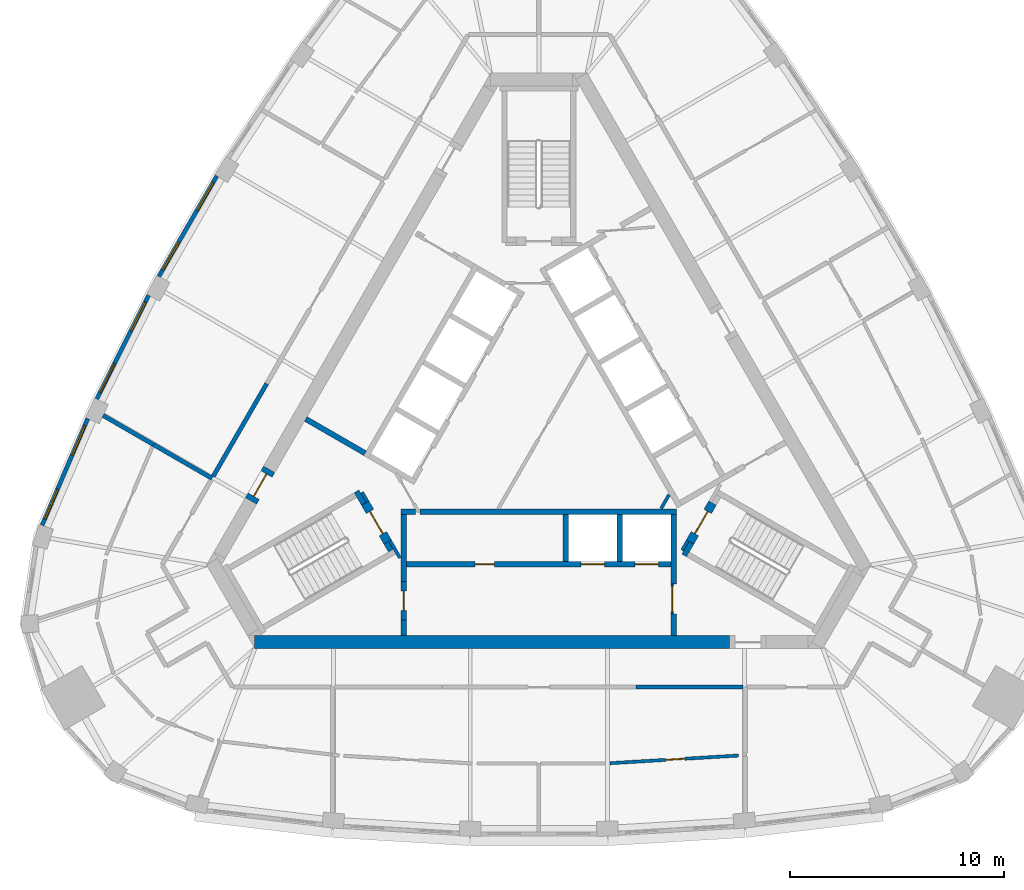
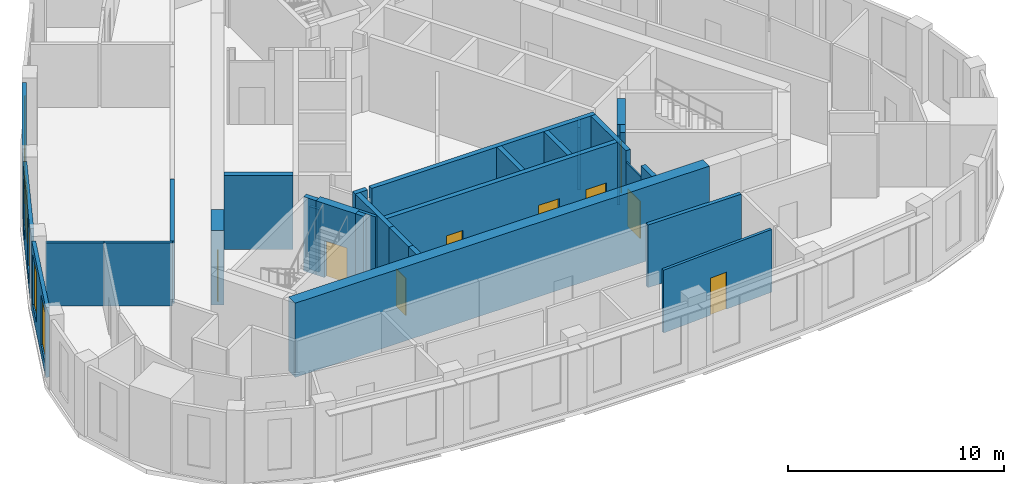
# One storey, part 4 of 10: 31 walls, 9 doors, 6 windows, 15 openings.
"""IFC4 building model written with IfcOpenShell, lengths in metres."""

from ifc_helpers import new_model, si_unit, direction, frame, frame_2d, origin, place, context, subcontext, project, spatial, rectangle, extrude, material, layer, layer_set, type_object, element, fill, save


model = new_model("IFC4")

# Units and contexts
model_context = context("Model", 3, precision=1e-05, world=origin(), true_north=direction((0.0, 1.0)))
body_context = subcontext(model_context, "Body", "Model", "MODEL_VIEW")
ifc_project = project(units=[si_unit("LENGTHUNIT", "METRE"), si_unit("AREAUNIT", "SQUARE_METRE"), si_unit("VOLUMEUNIT", "CUBIC_METRE"), si_unit("PLANEANGLEUNIT", "RADIAN"), si_unit("MASSUNIT", "GRAM", prefix="KILO")], contexts=[model_context])

# Site, building, storey
site_placement = place(None, origin())
site = spatial("IfcSite", under=ifc_project, at=site_placement, CompositionType="ELEMENT")
building_placement = place(site_placement, origin())
building = spatial("IfcBuilding", under=site, at=building_placement, Name="Mestral Congress Tower", CompositionType="ELEMENT")
storey_placement = place(building_placement, frame((0.0, 0.0, 313.199951171875)))
storey = spatial("IfcBuildingStorey", under=building, at=storey_placement, Name="L73", CompositionType="ELEMENT", Elevation=313.199951171875)

# Walls
ifc_material_1 = material(Name="Fire-rated board partition")
ifc_layer_1 = layer(ifc_material_1, 0.14990234375)
ifc_layer_set_1 = layer_set([ifc_layer_1], Name="Fire-rated board partition")
wall_type_1 = type_object("IfcWallType", Name="Core partition 150", PredefinedType="PARTITIONING", material=ifc_layer_set_1)
for number, where, z_axis, x_axis, name in (
    (1, (-8.251953125, -2.958251953125, 0.0), (0.0, 0.0, 1.0), (0.500174715838, -0.865924508047, 0.0), "L73 core wall"),
    (2, (6.94482421875, -5.22216796875, 0.0), (0.0, 0.0, 1.0), (-0.499818422106, -0.866130212453, 0.0), "L73 core wall"),
):
    element("IfcWall", number, at=place(storey_placement, frame(where, z_axis=z_axis, x_axis=x_axis)), inside=storey, type_object=wall_type_1, Name=name, PredefinedType="PARTITIONING", context=body_context, shape_type="SweptSolid", body=[
        extrude(rectangle(XDim=0.513916015625, YDim=0.14990234375, at=frame_2d((0.2568359375, 0.0))), origin(), (0.0, 0.0, 1.0), 3.550048828125),
    ])
wall_1_placement = place(storey_placement, frame((5.704833984375, -3.718017578125, 0.0), z_axis=(0.0, 0.0, 1.0), x_axis=(0.499962090823, 0.866047289552, 0.0)))
element("IfcWall", 3, at=wall_1_placement, inside=storey, type_object=wall_type_1, Name="L73 core wall", PredefinedType="PARTITIONING", context=body_context, shape_type="SweptSolid", body=[
    extrude(rectangle(XDim=0.73486328125, YDim=0.14990234375, at=frame_2d((0.367431640625, 0.0))), origin(), (0.0, 0.0, 1.0), 3.550048828125),
])

# Wall, opening, door
ifc_layer_2 = layer(ifc_material_1, 0.090087890625)
ifc_layer_set_2 = layer_set([ifc_layer_2], Name="Fire-rated board partition")
wall_type_2 = type_object("IfcWallType", Name="Core partition 150 door-wall 90", PredefinedType="PARTITIONING", material=ifc_layer_set_2)
wall_2_placement = place(storey_placement, frame((6.219970703125, -7.23681640625, 0.0), z_axis=(0.0, 0.0, 1.0), x_axis=(0.0, -1.0, 0.0)))
wall_2 = element("IfcWall", 4, at=wall_2_placement, inside=storey, type_object=wall_type_2, Name="L73 door wall", PredefinedType="PARTITIONING", context=body_context, shape_type="SweptSolid", body=[
    extrude(rectangle(XDim=1.400146484375, YDim=0.090087890625, at=frame_2d((0.7001953125, 0.0))), origin(), (0.0, 0.0, 1.0), 3.550048828125),
])
opening_1_placement = place(wall_2_placement, frame((0.10009765625, 0.0, 0.0)))
opening_1 = element("IfcOpeningElement", 5, at=opening_1_placement, cuts=wall_2, Name="Opening LB0-WL1", PredefinedType="OPENING", context=body_context, shape_type="SweptSolid", body=[
    extrude(rectangle(XDim=1.199951171875, YDim=2.10009765625, at=frame_2d((0.60009765625, 1.050048828125))), frame((0.0, 0.054931640625, 0.0), z_axis=(0.0, -1.0, 0.0), x_axis=(1.0, 0.0, 0.0)), (0.0, 0.0, 1.0), 0.110107421875),
])
ifc_material_2 = material(Name="Fire-rated steel door set", Category="steel")
door_type_1 = type_object("IfcDoorType", Name="Core door LB 1200x2100", OperationType="SINGLE_SWING_LEFT", PredefinedType="DOOR", material=ifc_material_2)
door_1_placement = place(opening_1_placement, origin())
door_1 = element("IfcDoor", 6, at=door_1_placement, inside=storey, type_object=door_type_1, Name="Door LB0-WL1", OperationType="SINGLE_SWING_LEFT", OverallHeight=2.10009765625, OverallWidth=1.199951171875, PredefinedType="DOOR", context=body_context, shape_type="SweptSolid", body=[
    extrude(rectangle(XDim=1.199951171875, YDim=2.10009765625, at=frame_2d((0.60009765625, 1.050048828125))), frame((0.0, 0.02490234375, 0.0), z_axis=(0.0, -1.0, 0.0), x_axis=(1.0, 0.0, 0.0)), (0.0, 0.0, 1.0), 0.050048828125),
])
fill(opening_1, door_1)

# Wall
ifc_material_3 = material(Name="Concrete C60/75", Category="concrete")
ifc_layer_3 = layer(ifc_material_3, 0.60009765625)
ifc_layer_set_3 = layer_set([ifc_layer_3], Name="Concrete C60/75")
wall_type_3 = type_object("IfcWallType", Name="Core wall RC 600", PredefinedType="SOLIDWALL", material=ifc_layer_set_3)
wall_3_placement = place(storey_placement, frame((8.904296875, -9.949951171875, 0.0), z_axis=(0.0, 0.0, 1.0), x_axis=(-1.0, 0.0, 0.0)))
element("IfcWall", 7, at=wall_3_placement, inside=storey, type_object=wall_type_3, Name="L73 core wall", PredefinedType="SOLIDWALL", context=body_context, shape_type="SweptSolid", body=[
    extrude(rectangle(XDim=22.160888671875, YDim=0.60009765625, at=frame_2d((11.08056640625, 0.0))), origin(), (0.0, 0.0, 1.0), 4.199951171875),
])

# Wall, opening, door
wall_4_placement = place(storey_placement, frame((-13.431640625, -3.3642578125, 0.0), z_axis=(0.0, 0.0, 1.0), x_axis=(0.500062241894, 0.865989465428, 0.0)))
wall_4 = element("IfcWall", 8, at=wall_4_placement, inside=storey, type_object=wall_type_3, Name="L73 door wall", PredefinedType="SOLIDWALL", context=body_context, shape_type="SweptSolid", body=[
    extrude(rectangle(XDim=1.699951171875, YDim=0.60009765625, at=frame_2d((0.85009765625, 0.0))), origin(), (0.0, 0.0, 1.0), 4.199951171875),
])
opening_2_placement = place(wall_4_placement, frame((0.25, 0.0, 0.0)))
opening_2 = element("IfcOpeningElement", 9, at=opening_2_placement, cuts=wall_4, Name="Opening XD3", PredefinedType="OPENING", context=body_context, shape_type="SweptSolid", body=[
    extrude(rectangle(XDim=1.199951171875, YDim=2.10009765625, at=frame_2d((0.60009765625, 1.050048828125))), frame((0.0, 0.31005859375, 0.0), z_axis=(0.0, -1.0, 0.0), x_axis=(1.0, 0.0, 0.0)), (0.0, 0.0, 1.0), 0.6201171875),
])
door_type_2 = type_object("IfcDoorType", Name="Core door XD 1200x2100", OperationType="SINGLE_SWING_LEFT", PredefinedType="DOOR", material=ifc_material_2)
door_2_placement = place(opening_2_placement, origin())
door_2 = element("IfcDoor", 10, at=door_2_placement, inside=storey, type_object=door_type_2, Name="Door XD3", OperationType="SINGLE_SWING_LEFT", OverallHeight=2.10009765625, OverallWidth=1.199951171875, PredefinedType="DOOR", context=body_context, shape_type="SweptSolid", body=[
    extrude(rectangle(XDim=1.199951171875, YDim=2.10009765625, at=frame_2d((0.60009765625, 1.050048828125))), frame((0.0, 0.02490234375, 0.0), z_axis=(0.0, -1.0, 0.0), x_axis=(1.0, 0.0, 0.0)), (0.0, 0.0, 1.0), 0.050048828125),
])
fill(opening_2, door_2)

# Wall, openings, windows
ifc_material_4 = material(Name="Precast concrete C40/50 with limestone facing", Category="masonry")
ifc_layer_4 = layer(ifc_material_4, 0.18994140625)
ifc_layer_set_4 = layer_set([ifc_layer_4], Name="Precast concrete C40/50 with limestone facing")
wall_type_4 = type_object("IfcWallType", Name="Facade stone wall 190", PredefinedType="SOLIDWALL", material=ifc_layer_set_4)
wall_5_placement = place(storey_placement, frame((-15.025146484375, 11.7958984375, 0.0), z_axis=(0.0, 0.0, 1.0), x_axis=(-0.500024767483, -0.866011103799, 0.0)))
wall_5 = element("IfcWall", 11, at=wall_5_placement, inside=storey, type_object=wall_type_4, Name="Facade wall F2-02", PredefinedType="SOLIDWALL", context=body_context, shape_type="SweptSolid", body=[
    extrude(rectangle(XDim=5.406005859375, YDim=0.18994140625, at=frame_2d((2.703125, 0.0))), origin(), (0.0, 0.0, 1.0), 3.949951171875),
])
opening_3_placement = place(wall_5_placement, frame((0.346435546875, 0.0, 0.60009765625)))
opening_3 = element("IfcOpeningElement", 12, at=opening_3_placement, cuts=wall_5, Name="Opening W6", PredefinedType="OPENING", context=body_context, shape_type="SweptSolid", body=[
    extrude(rectangle(XDim=1.5, YDim=2.85009765625, at=frame_2d((0.75, 1.425048828125))), frame((0.0, 0.10498046875, 0.0), z_axis=(0.0, -1.0, 0.0), x_axis=(1.0, 0.0, 0.0)), (0.0, 0.0, 1.0), 0.2099609375),
])
opening_4_placement = place(wall_5_placement, frame((3.559326171875, 0.0, 0.60009765625)))
opening_4 = element("IfcOpeningElement", 13, at=opening_4_placement, cuts=wall_5, Name="Opening W6", PredefinedType="OPENING", context=body_context, shape_type="SweptSolid", body=[
    extrude(rectangle(XDim=1.5, YDim=2.85009765625, at=frame_2d((0.75, 1.425048828125))), frame((0.0, 0.10498046875, 0.0), z_axis=(0.0, -1.0, 0.0), x_axis=(1.0, 0.0, 0.0)), (0.0, 0.0, 1.0), 0.2099609375),
])
ifc_material_5 = material(Name="Clear low-emissivity double glazing", Category="glass")
window_type = type_object("IfcWindowType", Name="Facade punched window 1500 x 2850 sill 600", PartitioningType="SINGLE_PANEL", PredefinedType="WINDOW", material=ifc_material_5)
window_1_placement = place(opening_3_placement, origin())
window_1 = element("IfcWindow", 14, at=window_1_placement, inside=storey, type_object=window_type, Name="Window F2-02a", OverallHeight=2.85009765625, OverallWidth=1.5, PartitioningType="SINGLE_PANEL", PredefinedType="WINDOW", context=body_context, shape_type="SweptSolid", body=[
    extrude(rectangle(XDim=1.5, YDim=2.85009765625, at=frame_2d((0.75, 1.425048828125))), frame((0.0, 0.044921875, 0.0), z_axis=(0.0, -1.0, 0.0), x_axis=(1.0, 0.0, 0.0)), (0.0, 0.0, 1.0), 0.06005859375),
])
fill(opening_3, window_1)
window_2_placement = place(opening_4_placement, origin())
window_2 = element("IfcWindow", 15, at=window_2_placement, inside=storey, type_object=window_type, Name="Window F2-02b", OverallHeight=2.85009765625, OverallWidth=1.5, PartitioningType="SINGLE_PANEL", PredefinedType="WINDOW", context=body_context, shape_type="SweptSolid", body=[
    extrude(rectangle(XDim=1.5, YDim=2.85009765625, at=frame_2d((0.75, 1.425048828125))), frame((0.0, 0.044921875, 0.0), z_axis=(0.0, -1.0, 0.0), x_axis=(1.0, 0.0, 0.0)), (0.0, 0.0, 1.0), 0.06005859375),
])
fill(opening_4, window_2)

wall_6_placement = place(storey_placement, frame((-18.205810546875, 6.226806640625, 0.0), z_axis=(0.0, 0.0, 1.0), x_axis=(-0.447484531401, -0.894291671747, 0.0)))
wall_6 = element("IfcWall", 16, at=wall_6_placement, inside=storey, type_object=wall_type_4, Name="Facade wall F2-03", PredefinedType="SOLIDWALL", context=body_context, shape_type="SweptSolid", body=[
    extrude(rectangle(XDim=5.40625, YDim=0.18994140625, at=frame_2d((2.703125, 0.0))), origin(), (0.0, 0.0, 1.0), 3.949951171875),
])
opening_5_placement = place(wall_6_placement, frame((0.346435546875, 0.0, 0.60009765625)))
opening_5 = element("IfcOpeningElement", 17, at=opening_5_placement, cuts=wall_6, Name="Opening W6", PredefinedType="OPENING", context=body_context, shape_type="SweptSolid", body=[
    extrude(rectangle(XDim=1.5, YDim=2.85009765625, at=frame_2d((0.75, 1.425048828125))), frame((0.0, 0.10498046875, 0.0), z_axis=(0.0, -1.0, 0.0), x_axis=(1.0, 0.0, 0.0)), (0.0, 0.0, 1.0), 0.2099609375),
])
opening_6_placement = place(wall_6_placement, frame((3.559326171875, 0.0, 0.60009765625)))
opening_6 = element("IfcOpeningElement", 18, at=opening_6_placement, cuts=wall_6, Name="Opening W6", PredefinedType="OPENING", context=body_context, shape_type="SweptSolid", body=[
    extrude(rectangle(XDim=1.5, YDim=2.85009765625, at=frame_2d((0.75, 1.425048828125))), frame((0.0, 0.10498046875, 0.0), z_axis=(0.0, -1.0, 0.0), x_axis=(1.0, 0.0, 0.0)), (0.0, 0.0, 1.0), 0.2099609375),
])
window_3_placement = place(opening_5_placement, origin())
window_3 = element("IfcWindow", 19, at=window_3_placement, inside=storey, type_object=window_type, Name="Window F2-03a", OverallHeight=2.85009765625, OverallWidth=1.5, PartitioningType="SINGLE_PANEL", PredefinedType="WINDOW", context=body_context, shape_type="SweptSolid", body=[
    extrude(rectangle(XDim=1.5, YDim=2.85009765625, at=frame_2d((0.75, 1.425048828125))), frame((0.0, 0.044921875, 0.0), z_axis=(0.0, -1.0, 0.0), x_axis=(1.0, 0.0, 0.0)), (0.0, 0.0, 1.0), 0.06005859375),
])
fill(opening_5, window_3)
window_4_placement = place(opening_6_placement, origin())
window_4 = element("IfcWindow", 20, at=window_4_placement, inside=storey, type_object=window_type, Name="Window F2-03b", OverallHeight=2.85009765625, OverallWidth=1.5, PartitioningType="SINGLE_PANEL", PredefinedType="WINDOW", context=body_context, shape_type="SweptSolid", body=[
    extrude(rectangle(XDim=1.5, YDim=2.85009765625, at=frame_2d((0.75, 1.425048828125))), frame((0.0, 0.044921875, 0.0), z_axis=(0.0, -1.0, 0.0), x_axis=(1.0, 0.0, 0.0)), (0.0, 0.0, 1.0), 0.06005859375),
])
fill(opening_6, window_4)

wall_7_placement = place(storey_placement, frame((-21.048828125, 0.477783203125, 0.0), z_axis=(0.0, 0.0, 1.0), x_axis=(-0.393347848476, -0.919389726992, 0.0)))
wall_7 = element("IfcWall", 21, at=wall_7_placement, inside=storey, type_object=wall_type_4, Name="Facade wall F2-04", PredefinedType="SOLIDWALL", context=body_context, shape_type="SweptSolid", body=[
    extrude(rectangle(XDim=5.414794921875, YDim=0.18994140625, at=frame_2d((2.70751953125, 0.0))), origin(), (0.0, 0.0, 1.0), 3.949951171875),
])
opening_7_placement = place(wall_7_placement, frame((0.357421875, 0.0, 0.60009765625)))
opening_7 = element("IfcOpeningElement", 22, at=opening_7_placement, cuts=wall_7, Name="Opening W6", PredefinedType="OPENING", context=body_context, shape_type="SweptSolid", body=[
    extrude(rectangle(XDim=1.5, YDim=2.85009765625, at=frame_2d((0.75, 1.425048828125))), frame((0.0, 0.10498046875, 0.0), z_axis=(0.0, -1.0, 0.0), x_axis=(1.0, 0.0, 0.0)), (0.0, 0.0, 1.0), 0.2099609375),
])
opening_8_placement = place(wall_7_placement, frame((3.592529296875, 0.0, 0.60009765625)))
opening_8 = element("IfcOpeningElement", 23, at=opening_8_placement, cuts=wall_7, Name="Opening W6", PredefinedType="OPENING", context=body_context, shape_type="SweptSolid", body=[
    extrude(rectangle(XDim=1.5, YDim=2.85009765625, at=frame_2d((0.75, 1.425048828125))), frame((0.0, 0.10498046875, 0.0), z_axis=(0.0, -1.0, 0.0), x_axis=(1.0, 0.0, 0.0)), (0.0, 0.0, 1.0), 0.2099609375),
])
window_5_placement = place(opening_7_placement, origin())
window_5 = element("IfcWindow", 24, at=window_5_placement, inside=storey, type_object=window_type, Name="Window F2-04a", OverallHeight=2.85009765625, OverallWidth=1.5, PartitioningType="SINGLE_PANEL", PredefinedType="WINDOW", context=body_context, shape_type="SweptSolid", body=[
    extrude(rectangle(XDim=1.5, YDim=2.85009765625, at=frame_2d((0.75, 1.425048828125))), frame((0.0, 0.044921875, 0.0), z_axis=(0.0, -1.0, 0.0), x_axis=(1.0, 0.0, 0.0)), (0.0, 0.0, 1.0), 0.06005859375),
])
fill(opening_7, window_5)
window_6_placement = place(opening_8_placement, origin())
window_6 = element("IfcWindow", 25, at=window_6_placement, inside=storey, type_object=window_type, Name="Window F2-04b", OverallHeight=2.85009765625, OverallWidth=1.5, PartitioningType="SINGLE_PANEL", PredefinedType="WINDOW", context=body_context, shape_type="SweptSolid", body=[
    extrude(rectangle(XDim=1.5, YDim=2.85009765625, at=frame_2d((0.75, 1.425048828125))), frame((0.0, 0.044921875, 0.0), z_axis=(0.0, -1.0, 0.0), x_axis=(1.0, 0.0, 0.0)), (0.0, 0.0, 1.0), 0.06005859375),
])
fill(opening_8, window_6)

# Wall, opening, door
ifc_material_6 = material(Name="Plasterboard partition on steel studs", Category="steel")
ifc_layer_5 = layer(ifc_material_6, 0.14990234375)
ifc_layer_set_5 = layer_set([ifc_layer_5], Name="Plasterboard partition on steel studs")
wall_type_5 = type_object("IfcWallType", Name="Office partition 150", PredefinedType="PARTITIONING", material=ifc_layer_set_5)
wall_8_placement = place(storey_placement, frame((9.3154296875, -15.244384765625, 0.0), z_axis=(0.0, 0.0, 1.0), x_axis=(-0.998218822372, -0.059658885864, 0.0)))
wall_8 = element("IfcWall", 26, at=wall_8_placement, inside=storey, type_object=wall_type_5, Name="Partition", PredefinedType="PARTITIONING", context=body_context, shape_type="SweptSolid", body=[
    extrude(rectangle(XDim=6.00341796875, YDim=0.14990234375, at=frame_2d((3.001708984375, 0.0))), origin(), (0.0, 0.0, 1.0), 3.550048828125),
])
opening_9_placement = place(wall_8_placement, frame((2.50341796875, 0.0, 0.0)))
opening_9 = element("IfcOpeningElement", 27, at=opening_9_placement, cuts=wall_8, Name="Opening O14-002", PredefinedType="OPENING", context=body_context, shape_type="SweptSolid", body=[
    extrude(rectangle(XDim=0.89990234375, YDim=2.10009765625, at=frame_2d((0.449951171875, 1.050048828125))), frame((0.0, 0.0849609375, 0.0), z_axis=(0.0, -1.0, 0.0), x_axis=(1.0, 0.0, 0.0)), (0.0, 0.0, 1.0), 0.169921875),
])
ifc_material_7 = material(Name="Timber door set", Category="wood")
door_type_3 = type_object("IfcDoorType", Name="Office door 900x2100", OperationType="SINGLE_SWING_LEFT", PredefinedType="DOOR", material=ifc_material_7)
door_3_placement = place(opening_9_placement, origin())
door_3 = element("IfcDoor", 28, at=door_3_placement, inside=storey, type_object=door_type_3, Name="Door O14-002", OperationType="SINGLE_SWING_LEFT", OverallHeight=2.10009765625, OverallWidth=0.89990234375, PredefinedType="DOOR", context=body_context, shape_type="SweptSolid", body=[
    extrude(rectangle(XDim=0.89990234375, YDim=2.10009765625, at=frame_2d((0.449951171875, 1.050048828125))), frame((0.0, 0.02490234375, 0.0), z_axis=(0.0, -1.0, 0.0), x_axis=(1.0, 0.0, 0.0)), (0.0, 0.0, 1.0), 0.050048828125),
])
fill(opening_9, door_3)

# Walls
ifc_material_8 = material(Name="Dense masonry wall, plastered", Category="masonry")
ifc_layer_6 = layer(ifc_material_8, 0.199951171875)
ifc_layer_set_6 = layer_set([ifc_layer_6], Name="Dense masonry wall, plastered")
wall_type_6 = type_object("IfcWallType", Name="Office tenancy wall 200", PredefinedType="PARTITIONING", material=ifc_layer_set_6)
wall_9_placement = place(storey_placement, frame((4.530029296875, -12.050048828125, 0.0), z_axis=(0.0, 0.0, 1.0), x_axis=(1.0, 0.0, 0.0)))
element("IfcWall", 29, at=wall_9_placement, inside=storey, type_object=wall_type_6, Name="Tenancy wall", PredefinedType="PARTITIONING", context=body_context, shape_type="SweptSolid", body=[
    extrude(rectangle(XDim=4.997314453125, YDim=0.199951171875, at=frame_2d((2.49853515625, 0.0))), origin(), (0.0, 0.0, 1.0), 3.550048828125),
])
wall_10_placement = place(storey_placement, frame((-17.97998046875, -0.736083984375, 0.0), z_axis=(0.0, 0.0, 1.0), x_axis=(-0.866049350164, 0.49995852136, 0.0)))
element("IfcWall", 30, at=wall_10_placement, inside=storey, type_object=wall_type_6, Name="Tenancy wall", PredefinedType="PARTITIONING", context=body_context, shape_type="SweptSolid", body=[
    extrude(rectangle(XDim=2.715576171875, YDim=0.199951171875, at=frame_2d((1.35791015625, 0.0))), origin(), (0.0, 0.0, 1.0), 3.550048828125),
])
wall_11_placement = place(storey_placement, frame((-15.249267578125, -2.3125, 0.0), z_axis=(0.0, 0.0, 1.0), x_axis=(-0.866053113424, 0.499952002425, 0.0)))
element("IfcWall", 31, at=wall_11_placement, inside=storey, type_object=wall_type_6, Name="Tenancy wall", PredefinedType="PARTITIONING", context=body_context, shape_type="SweptSolid", body=[
    extrude(rectangle(XDim=3.160888671875, YDim=0.199951171875, at=frame_2d((1.58056640625, 0.0))), origin(), (0.0, 0.0, 1.0), 3.550048828125),
])
wall_12_placement = place(storey_placement, frame((-12.70068359375, 2.101806640625, 0.0), z_axis=(0.0, 0.0, 1.0), x_axis=(-0.499974782844, -0.866039962427, 0.0)))
element("IfcWall", 32, at=wall_12_placement, inside=storey, type_object=wall_type_6, Name="Tenancy wall", PredefinedType="PARTITIONING", context=body_context, shape_type="SweptSolid", body=[
    extrude(rectangle(XDim=4.997314453125, YDim=0.199951171875, at=frame_2d((2.49853515625, 0.0))), origin(), (0.0, 0.0, 1.0), 3.550048828125),
])
ifc_layer_7 = layer(ifc_material_3, 0.25)
ifc_layer_set_7 = layer_set([ifc_layer_7], Name="Concrete C60/75")
wall_type_7 = type_object("IfcWallType", Name="Shaft wall RC 250", PredefinedType="SOLIDWALL", material=ifc_layer_set_7)
wall_13_placement = place(storey_placement, frame((-5.544921875, -3.875, 0.0), z_axis=(0.0, 0.0, 1.0), x_axis=(1.0, 0.0, 0.0)))
element("IfcWall", 33, at=wall_13_placement, inside=storey, type_object=wall_type_7, Name="L73 core wall", PredefinedType="SOLIDWALL", context=body_context, shape_type="SweptSolid", body=[
    extrude(rectangle(XDim=11.969970703125, YDim=0.25, at=frame_2d((5.98486328125, 0.0))), origin(), (0.0, 0.0, 1.0), 4.199951171875),
])
wall_14_placement = place(storey_placement, frame((-6.425048828125, -3.875, 0.0), z_axis=(0.0, 0.0, 1.0), x_axis=(1.0, 0.0, 0.0)))
element("IfcWall", 34, at=wall_14_placement, inside=storey, type_object=wall_type_7, Name="L73 core wall", PredefinedType="SOLIDWALL", context=body_context, shape_type="SweptSolid", body=[
    extrude(rectangle(XDim=0.657958984375, YDim=0.25, at=frame_2d((0.3291015625, 0.0))), origin(), (0.0, 0.0, 1.0), 4.199951171875),
])
wall_15_placement = place(storey_placement, frame((6.300048828125, -7.239990234375, 0.0), z_axis=(0.0, 0.0, 1.0), x_axis=(0.0, 1.0, 0.0)))
element("IfcWall", 35, at=wall_15_placement, inside=storey, type_object=wall_type_7, Name="L73 core wall", PredefinedType="SOLIDWALL", context=body_context, shape_type="SweptSolid", body=[
    extrude(rectangle(XDim=3.239990234375, YDim=0.25, at=frame_2d((1.6201171875, 0.0))), origin(), (0.0, 0.0, 1.0), 4.199951171875),
])
wall_16_placement = place(storey_placement, frame((6.300048828125, -9.64990234375, 0.0), z_axis=(0.0, 0.0, 1.0), x_axis=(0.0, 1.0, 0.0)))
element("IfcWall", 36, at=wall_16_placement, inside=storey, type_object=wall_type_7, Name="L73 core wall", PredefinedType="SOLIDWALL", context=body_context, shape_type="SweptSolid", body=[
    extrude(rectangle(XDim=1.0078125, YDim=0.25, at=frame_2d((0.50390625, 0.0))), origin(), (0.0, 0.0, 1.0), 4.199951171875),
])
for number, where, z_axis, x_axis, name in (
    (37, (3.780029296875, -4.0, 0.0), (0.0, 0.0, 1.0), (0.0, -1.0, 0.0), "L73 core wall"),
    (38, (1.260009765625, -4.0, 0.0), (0.0, 0.0, 1.0), (0.0, -1.0, 0.0), "L73 core wall"),
):
    element("IfcWall", number, at=place(storey_placement, frame(where, z_axis=z_axis, x_axis=x_axis)), inside=storey, type_object=wall_type_7, Name=name, PredefinedType="SOLIDWALL", context=body_context, shape_type="SweptSolid", body=[
        extrude(rectangle(XDim=2.199951171875, YDim=0.25, at=frame_2d((1.10009765625, 0.0))), origin(), (0.0, 0.0, 1.0), 4.199951171875),
    ])
wall_17_placement = place(storey_placement, frame((-6.300048828125, -7.12451171875, 0.0), z_axis=(0.0, 0.0, 1.0), x_axis=(0.0, 1.0, 0.0)))
element("IfcWall", 39, at=wall_17_placement, inside=storey, type_object=wall_type_7, Name="L73 core wall", PredefinedType="SOLIDWALL", context=body_context, shape_type="SweptSolid", body=[
    extrude(rectangle(XDim=3.12451171875, YDim=0.25, at=frame_2d((1.562255859375, 0.0))), origin(), (0.0, 0.0, 1.0), 4.199951171875),
])
wall_18_placement = place(storey_placement, frame((-6.300048828125, -8.9248046875, 0.0), z_axis=(0.0, 0.0, 1.0), x_axis=(0.0, -1.0, 0.0)))
element("IfcWall", 40, at=wall_18_placement, inside=storey, type_object=wall_type_7, Name="L73 core wall", PredefinedType="SOLIDWALL", context=body_context, shape_type="SweptSolid", body=[
    extrude(rectangle(XDim=0.72509765625, YDim=0.25, at=frame_2d((0.362548828125, 0.0))), origin(), (0.0, 0.0, 1.0), 4.199951171875),
])
wall_19_placement = place(storey_placement, frame((-8.10595703125, -1.139892578125, 0.0), z_axis=(0.0, 0.0, 1.0), x_axis=(-0.866008981251, 0.500028443584, 0.0)))
element("IfcWall", 41, at=wall_19_placement, inside=storey, type_object=wall_type_7, Name="L73 core wall", PredefinedType="SOLIDWALL", context=body_context, shape_type="SweptSolid", body=[
    extrude(rectangle(XDim=3.199951171875, YDim=0.25, at=frame_2d((1.60009765625, 0.0))), origin(), (0.0, 0.0, 1.0), 4.199951171875),
])

# Wall, openings, doors
wall_20_placement = place(storey_placement, frame((-6.175048828125, -6.324951171875, 0.0), z_axis=(0.0, 0.0, 1.0), x_axis=(1.0, 0.0, 0.0)))
wall_20 = element("IfcWall", 42, at=wall_20_placement, inside=storey, type_object=wall_type_7, Name="L73 door wall", PredefinedType="SOLIDWALL", context=body_context, shape_type="SweptSolid", body=[
    extrude(rectangle(XDim=12.35009765625, YDim=0.25, at=frame_2d((6.175048828125, 0.0))), origin(), (0.0, 0.0, 1.0), 4.199951171875),
])
opening_10_placement = place(wall_20_placement, frame((3.205078125, 0.0, 0.0)))
opening_10 = element("IfcOpeningElement", 43, at=opening_10_placement, cuts=wall_20, Name="Opening SR-SOB1", PredefinedType="OPENING", context=body_context, shape_type="SweptSolid", body=[
    extrude(rectangle(XDim=0.89990234375, YDim=2.10009765625, at=frame_2d((0.449951171875, 1.050048828125))), frame((0.0, 0.135009765625, 0.0), z_axis=(0.0, -1.0, 0.0), x_axis=(1.0, 0.0, 0.0)), (0.0, 0.0, 1.0), 0.27001953125),
])
opening_11_placement = place(wall_20_placement, frame((8.14501953125, 0.0, 0.0)))
opening_11 = element("IfcOpeningElement", 44, at=opening_11_placement, cuts=wall_20, Name="Opening LD-SOB4", PredefinedType="OPENING", context=body_context, shape_type="SweptSolid", body=[
    extrude(rectangle(XDim=1.10009765625, YDim=2.10009765625, at=frame_2d((0.550048828125, 1.050048828125))), frame((0.0, 0.135009765625, 0.0), z_axis=(0.0, -1.0, 0.0), x_axis=(1.0, 0.0, 0.0)), (0.0, 0.0, 1.0), 0.27001953125),
])
opening_12_placement = place(wall_20_placement, frame((10.6650390625, 0.0, 0.0)))
opening_12 = element("IfcOpeningElement", 45, at=opening_12_placement, cuts=wall_20, Name="Opening LD-SOB5", PredefinedType="OPENING", context=body_context, shape_type="SweptSolid", body=[
    extrude(rectangle(XDim=1.10009765625, YDim=2.10009765625, at=frame_2d((0.550048828125, 1.050048828125))), frame((0.0, 0.135009765625, 0.0), z_axis=(0.0, -1.0, 0.0), x_axis=(1.0, 0.0, 0.0)), (0.0, 0.0, 1.0), 0.27001953125),
])
door_type_4 = type_object("IfcDoorType", Name="Core door LD 1100x2100", OperationType="DOUBLE_DOOR_SLIDING", PredefinedType="DOOR", material=ifc_material_2)
door_4_placement = place(opening_11_placement, origin())
door_4 = element("IfcDoor", 46, at=door_4_placement, inside=storey, type_object=door_type_4, Name="Door LD-SOB4", OperationType="DOUBLE_DOOR_SLIDING", OverallHeight=2.10009765625, OverallWidth=1.10009765625, PredefinedType="DOOR", context=body_context, shape_type="SweptSolid", body=[
    extrude(rectangle(XDim=1.10009765625, YDim=2.10009765625, at=frame_2d((0.550048828125, 1.050048828125))), frame((0.0, 0.02490234375, 0.0), z_axis=(0.0, -1.0, 0.0), x_axis=(1.0, 0.0, 0.0)), (0.0, 0.0, 1.0), 0.050048828125),
])
fill(opening_11, door_4)
door_5_placement = place(opening_12_placement, origin())
door_5 = element("IfcDoor", 47, at=door_5_placement, inside=storey, type_object=door_type_4, Name="Door LD-SOB5", OperationType="DOUBLE_DOOR_SLIDING", OverallHeight=2.10009765625, OverallWidth=1.10009765625, PredefinedType="DOOR", context=body_context, shape_type="SweptSolid", body=[
    extrude(rectangle(XDim=1.10009765625, YDim=2.10009765625, at=frame_2d((0.550048828125, 1.050048828125))), frame((0.0, 0.02490234375, 0.0), z_axis=(0.0, -1.0, 0.0), x_axis=(1.0, 0.0, 0.0)), (0.0, 0.0, 1.0), 0.050048828125),
])
fill(opening_12, door_5)
door_type_5 = type_object("IfcDoorType", Name="Core door SR 900x2100", OperationType="SINGLE_SWING_LEFT", PredefinedType="DOOR", material=ifc_material_2)
door_6_placement = place(opening_10_placement, origin())
door_6 = element("IfcDoor", 48, at=door_6_placement, inside=storey, type_object=door_type_5, Name="Door SR-SOB1", OperationType="SINGLE_SWING_LEFT", OverallHeight=2.10009765625, OverallWidth=0.89990234375, PredefinedType="DOOR", context=body_context, shape_type="SweptSolid", body=[
    extrude(rectangle(XDim=0.89990234375, YDim=2.10009765625, at=frame_2d((0.449951171875, 1.050048828125))), frame((0.0, 0.02490234375, 0.0), z_axis=(0.0, -1.0, 0.0), x_axis=(1.0, 0.0, 0.0)), (0.0, 0.0, 1.0), 0.050048828125),
])
fill(opening_10, door_6)

# Wall, opening, door
wall_21_placement = place(storey_placement, frame((-6.300048828125, -7.12451171875, 0.0), z_axis=(0.0, 0.0, 1.0), x_axis=(0.0, -1.0, 0.0)))
wall_21 = element("IfcWall", 49, at=wall_21_placement, inside=storey, type_object=wall_type_7, Name="L73 door wall", PredefinedType="SOLIDWALL", context=body_context, shape_type="SweptSolid", body=[
    extrude(rectangle(XDim=1.800048828125, YDim=0.25, at=frame_2d((0.89990234375, 0.0))), origin(), (0.0, 0.0, 1.0), 4.199951171875),
])
opening_13_placement = place(wall_21_placement, frame((0.449951171875, 0.0, 0.0)))
opening_13 = element("IfcOpeningElement", 50, at=opening_13_placement, cuts=wall_21, Name="Opening TD3", PredefinedType="OPENING", context=body_context, shape_type="SweptSolid", body=[
    extrude(rectangle(XDim=0.89990234375, YDim=2.10009765625, at=frame_2d((0.449951171875, 1.050048828125))), frame((0.0, 0.135009765625, 0.0), z_axis=(0.0, -1.0, 0.0), x_axis=(1.0, 0.0, 0.0)), (0.0, 0.0, 1.0), 0.27001953125),
])
door_7_placement = place(opening_13_placement, origin())
door_7 = element("IfcDoor", 51, at=door_7_placement, inside=storey, type_object=door_type_5, Name="Door TD3", OperationType="SINGLE_SWING_LEFT", OverallHeight=2.10009765625, OverallWidth=0.89990234375, PredefinedType="DOOR", context=body_context, shape_type="SweptSolid", body=[
    extrude(rectangle(XDim=0.89990234375, YDim=2.10009765625, at=frame_2d((0.449951171875, 1.050048828125))), frame((0.0, 0.02490234375, 0.0), z_axis=(0.0, -1.0, 0.0), x_axis=(1.0, 0.0, 0.0)), (0.0, 0.0, 1.0), 0.050048828125),
])
fill(opening_13, door_7)

# Walls
ifc_layer_8 = layer(ifc_material_3, 0.14990234375)
ifc_layer_set_8 = layer_set([ifc_layer_8], Name="Concrete C60/75")
wall_type_8 = type_object("IfcWallType", Name="Shaft wall RC 250 door-wall 150", PredefinedType="SOLIDWALL", material=ifc_layer_set_8)
wall_22_placement = place(storey_placement, frame((-6.48046875, -6.026611328125, 0.0), z_axis=(0.0, 0.0, 1.0), x_axis=(-0.499927229454, 0.866067413802, 0.0)))
element("IfcWall", 52, at=wall_22_placement, inside=storey, type_object=wall_type_8, Name="L73 core wall", PredefinedType="PARTITIONING", context=body_context, shape_type="SweptSolid", body=[
    extrude(rectangle(XDim=0.928955078125, YDim=0.14990234375, at=frame_2d((0.46435546875, 0.0))), origin(), (0.0, 0.0, 1.0), 4.199951171875),
])
ifc_layer_9 = layer(ifc_material_3, 0.25)
ifc_layer_set_9 = layer_set([ifc_layer_9], Name="Concrete C60/75")
wall_type_9 = type_object("IfcWallType", Name="Stair wall RC 250", PredefinedType="SOLIDWALL", material=ifc_layer_set_9)
wall_23_placement = place(storey_placement, frame((6.780029296875, -5.906494140625, 0.0), z_axis=(0.0, 0.0, 1.0), x_axis=(0.500223362819, 0.865896406789, 0.0)))
element("IfcWall", 53, at=wall_23_placement, inside=storey, type_object=wall_type_9, Name="L73 core wall", PredefinedType="SOLIDWALL", context=body_context, shape_type="SweptSolid", body=[
    extrude(rectangle(XDim=0.675048828125, YDim=0.25, at=frame_2d((0.33740234375, 0.0))), origin(), (0.0, 0.0, 1.0), 4.199951171875),
])
wall_24_placement = place(storey_placement, frame((-8.167724609375, -3.503173828125, 0.0), z_axis=(0.0, 0.0, 1.0), x_axis=(-0.499952099219, 0.866053057547, 0.0)))
element("IfcWall", 54, at=wall_24_placement, inside=storey, type_object=wall_type_9, Name="L73 core wall", PredefinedType="SOLIDWALL", context=body_context, shape_type="SweptSolid", body=[
    extrude(rectangle(XDim=0.6748046875, YDim=0.25, at=frame_2d((0.33740234375, 0.0))), origin(), (0.0, 0.0, 1.0), 4.199951171875),
])
wall_25_placement = place(storey_placement, frame((-6.905029296875, -5.68994140625, 0.0), z_axis=(0.0, 0.0, 1.0), x_axis=(-0.500402024738, 0.865793170242, 0.0)))
element("IfcWall", 55, at=wall_25_placement, inside=storey, type_object=wall_type_9, Name="L73 core wall", PredefinedType="SOLIDWALL", context=body_context, shape_type="SweptSolid", body=[
    extrude(rectangle(XDim=0.425048828125, YDim=0.25, at=frame_2d((0.21240234375, 0.0))), origin(), (0.0, 0.0, 1.0), 4.199951171875),
])

# Wall, opening, door
ifc_layer_10 = layer(ifc_material_3, 0.39990234375)
ifc_layer_set_10 = layer_set([ifc_layer_10], Name="Concrete C60/75")
wall_type_10 = type_object("IfcWallType", Name="Stair wall RC 250 door-wall 400", PredefinedType="SOLIDWALL", material=ifc_layer_set_10)
wall_26_placement = place(storey_placement, frame((7.052734375, -5.2841796875, 0.0), z_axis=(0.0, 0.0, 1.0), x_axis=(0.500078061341, 0.865980330357, 0.0)))
wall_26 = element("IfcWall", 56, at=wall_26_placement, inside=storey, type_object=wall_type_10, Name="L73 door wall", PredefinedType="SOLIDWALL", context=body_context, shape_type="SweptSolid", body=[
    extrude(rectangle(XDim=2.099853515625, YDim=0.39990234375, at=frame_2d((1.0498046875, 0.0))), origin(), (0.0, 0.0, 1.0), 4.199951171875),
])
opening_14_placement = place(wall_26_placement, frame((0.449951171875, 0.0, 0.0)))
opening_14 = element("IfcOpeningElement", 57, at=opening_14_placement, cuts=wall_26, Name="Opening ST-D1", PredefinedType="OPENING", context=body_context, shape_type="SweptSolid", body=[
    extrude(rectangle(XDim=1.199951171875, YDim=2.10009765625, at=frame_2d((0.60009765625, 1.050048828125))), frame((0.0, 0.2099609375, 0.0), z_axis=(0.0, -1.0, 0.0), x_axis=(1.0, 0.0, 0.0)), (0.0, 0.0, 1.0), 0.419921875),
])
door_type_6 = type_object("IfcDoorType", Name="Core door ST 1200x2100", OperationType="SINGLE_SWING_LEFT", PredefinedType="DOOR", material=ifc_material_2)
door_8_placement = place(opening_14_placement, origin())
door_8 = element("IfcDoor", 58, at=door_8_placement, inside=storey, type_object=door_type_6, Name="Door ST-D1", OperationType="SINGLE_SWING_LEFT", OverallHeight=2.10009765625, OverallWidth=1.199951171875, PredefinedType="DOOR", context=body_context, shape_type="SweptSolid", body=[
    extrude(rectangle(XDim=1.199951171875, YDim=2.10009765625, at=frame_2d((0.60009765625, 1.050048828125))), frame((0.0, 0.02490234375, 0.0), z_axis=(0.0, -1.0, 0.0), x_axis=(1.0, 0.0, 0.0)), (0.0, 0.0, 1.0), 0.050048828125),
])
fill(opening_14, door_8)

wall_27_placement = place(storey_placement, frame((-8.102783203125, -3.4658203125, 0.0), z_axis=(0.0, 0.0, 1.0), x_axis=(0.500078061341, -0.865980330357, 0.0)))
wall_27 = element("IfcWall", 59, at=wall_27_placement, inside=storey, type_object=wall_type_10, Name="L73 door wall", PredefinedType="SOLIDWALL", context=body_context, shape_type="SweptSolid", body=[
    extrude(rectangle(XDim=2.099853515625, YDim=0.39990234375, at=frame_2d((1.0498046875, 0.0))), origin(), (0.0, 0.0, 1.0), 4.199951171875),
])
opening_15_placement = place(wall_27_placement, frame((0.449951171875, 0.0, 0.0)))
opening_15 = element("IfcOpeningElement", 60, at=opening_15_placement, cuts=wall_27, Name="Opening ST-D3", PredefinedType="OPENING", context=body_context, shape_type="SweptSolid", body=[
    extrude(rectangle(XDim=1.199951171875, YDim=2.10009765625, at=frame_2d((0.60009765625, 1.050048828125))), frame((0.0, 0.2099609375, 0.0), z_axis=(0.0, -1.0, 0.0), x_axis=(1.0, 0.0, 0.0)), (0.0, 0.0, 1.0), 0.419921875),
])
door_9_placement = place(opening_15_placement, origin())
door_9 = element("IfcDoor", 61, at=door_9_placement, inside=storey, type_object=door_type_6, Name="Door ST-D3", OperationType="SINGLE_SWING_LEFT", OverallHeight=2.10009765625, OverallWidth=1.199951171875, PredefinedType="DOOR", context=body_context, shape_type="SweptSolid", body=[
    extrude(rectangle(XDim=1.199951171875, YDim=2.10009765625, at=frame_2d((0.60009765625, 1.050048828125))), frame((0.0, 0.02490234375, 0.0), z_axis=(0.0, -1.0, 0.0), x_axis=(1.0, 0.0, 0.0)), (0.0, 0.0, 1.0), 0.050048828125),
])
fill(opening_15, door_9)

save(model, "model.ifc")
